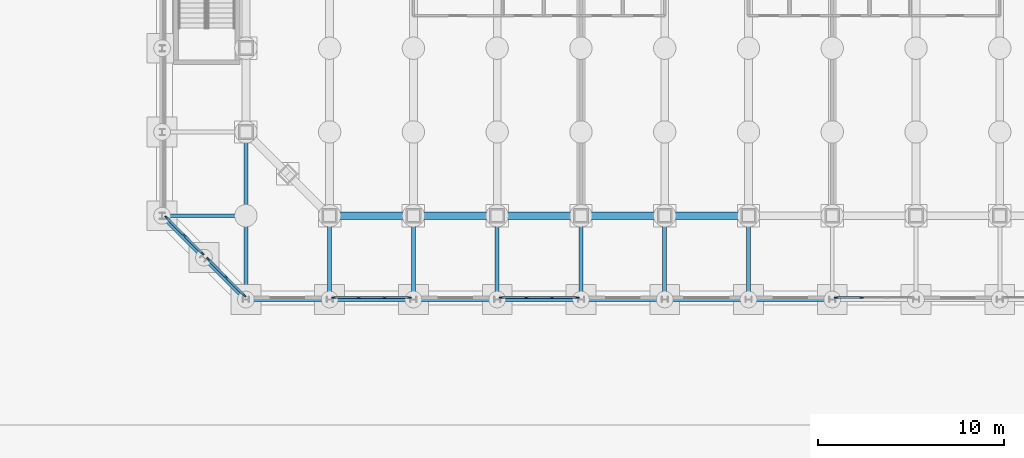
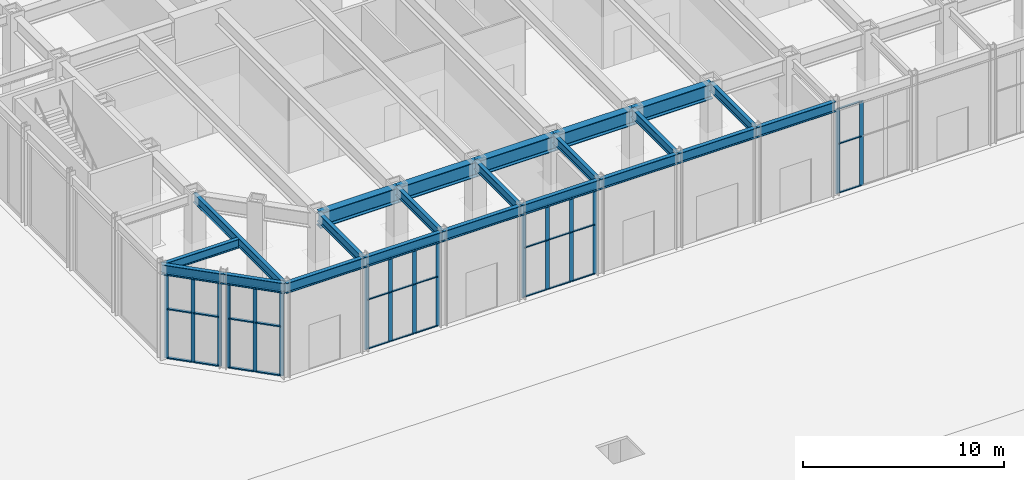
# One storey, part 5 of 39: 49 members, 22 beams, 5 elements without a shape of their own.
"""IFC4 building model written with IfcOpenShell, lengths in metres."""

import ifcopenshell
import ifcopenshell.guid

model = None  # the IFC model being written
_history = None  # IfcOwnerHistory: only IFC2X3 demands one
_inside = {}  # id of a spatial element -> (the spatial element, [elements in it])
_under = {}  # id of a project, library or spatial element -> (it, [spatial elements below it])
_declared = {}  # id of a project -> (the project, [libraries it declares])
_typed = {}  # id of a type object -> (the type object, [elements of that type])
_made_of = {}  # id of a material, layer set ... -> (it, [elements and type objects made of it])


def new_model(schema):
    """Start an empty IFC model of exactly this schema.

    Asked for "IFC4X3", IfcOpenShell would pick the latest addendum, in which some entities
    have other attributes; the version numbers below select the first issue.
    IFC2X3 requires an IfcOwnerHistory on every rooted entity: one is made here for all.
    """
    global model, _history
    if schema == "IFC4X3":
        model = ifcopenshell.file(schema_version=(4, 3, 0, 0))
    else:
        model = ifcopenshell.file(schema=schema)
    _inside.clear()
    _under.clear()
    _declared.clear()
    _typed.clear()
    _made_of.clear()
    _history = None
    if model.schema == "IFC2X3":
        org = make("IfcOrganization", Name="unknown")
        user = make(
            "IfcPersonAndOrganization",
            ThePerson=make("IfcPerson", FamilyName="unknown"),
            TheOrganization=org,
        )
        app = make(
            "IfcApplication",
            ApplicationDeveloper=org,
            Version="unknown",
            ApplicationFullName="unknown",
            ApplicationIdentifier="unknown",
        )
        _history = make(
            "IfcOwnerHistory",
            OwningUser=user,
            OwningApplication=app,
            ChangeAction="ADDED",
            CreationDate=0,
        )
    return model


def make(cls, **values):
    """One entity of the class cls with the attributes given. An attribute that is None is left unset."""
    return model.create_entity(
        cls, **{name: value for name, value in values.items() if value is not None}
    )


def rooted(cls, **values):
    """An entity with a GlobalId (a new one), such as an element, a storey or a relation."""
    return make(cls, GlobalId=ifcopenshell.guid.new(), OwnerHistory=_history, **values)


def si_unit(unit_type, name, prefix=None):
    """IfcSIUnit, for example si_unit("LENGTHUNIT", "METRE", prefix="MILLI")."""
    return make("IfcSIUnit", UnitType=unit_type, Prefix=prefix, Name=name)


def assignment(units):
    """IfcUnitAssignment: the units of a project."""
    return None if units is None else make("IfcUnitAssignment", Units=units)


def point(xyz):
    """IfcCartesianPoint."""
    return None if xyz is None else make("IfcCartesianPoint", Coordinates=xyz)


def direction(xyz):
    """IfcDirection."""
    return None if xyz is None else make("IfcDirection", DirectionRatios=xyz)


def frame(location, z_axis=None, x_axis=None):
    """IfcAxis2Placement3D, a coordinate frame: its origin and axes. An axis left out is left unset."""
    return make(
        "IfcAxis2Placement3D",
        Location=point(location),
        Axis=direction(z_axis),
        RefDirection=direction(x_axis),
    )


def frame_2d(location, x_axis=None):
    """IfcAxis2Placement2D, a coordinate frame in the plane: its origin and x axis."""
    return make(
        "IfcAxis2Placement2D", Location=point(location), RefDirection=direction(x_axis)
    )


def origin():
    """The frame at (0, 0, 0) with its axes left unset."""
    return frame((0.0, 0.0, 0.0))


def origin_2d():
    """The frame at (0, 0) in the plane with its x axis left unset."""
    return frame_2d((0.0, 0.0))


def place(relative_to, where):
    """IfcLocalPlacement: puts the frame where relative to a parent placement (None: the world)."""
    return make(
        "IfcLocalPlacement", PlacementRelTo=relative_to, RelativePlacement=where
    )


def context(
    kind, dimensions, precision=None, world=None, true_north=None, identifier=None
):
    """IfcGeometricRepresentationContext, for example the 3D "Model" context."""
    return make(
        "IfcGeometricRepresentationContext",
        ContextIdentifier=identifier,
        ContextType=kind,
        CoordinateSpaceDimension=dimensions,
        Precision=precision,
        WorldCoordinateSystem=world,
        TrueNorth=true_north,
    )


def subcontext(parent, identifier, kind, view, scale=None):
    """IfcGeometricRepresentationSubContext, for example "Body" below "Model"."""
    return make(
        "IfcGeometricRepresentationSubContext",
        ContextIdentifier=identifier,
        ContextType=kind,
        ParentContext=parent,
        TargetScale=scale,
        TargetView=view,
    )


def project(units=None, contexts=None):
    """IfcProject with its units and contexts."""
    return rooted(
        "IfcProject",
        Name="project",
        RepresentationContexts=contexts,
        UnitsInContext=assignment(units),
    )


def spatial(cls, under=None, at=None, **own):
    """A site, building, storey or space (cls), placed at a placement, below another one or the project."""
    s = rooted(cls, ObjectPlacement=at, **own)
    if under is not None:
        _under.setdefault(under.id(), (under, []))[1].append(s)
    return s


def profile(cls, at=None, kind="AREA", **sizes):
    """A parametric profile (cls). Its sizes go by their IFC names, for example OverallWidth=200.0."""
    return make(cls, ProfileType=kind, Position=at, **sizes)


def rectangle(**sizes):
    """IfcRectangleProfileDef."""
    return profile("IfcRectangleProfileDef", **sizes)


def i_section(**sizes):
    """IfcIShapeProfileDef."""
    return profile("IfcIShapeProfileDef", **sizes)


def extrude(swept, where, along, depth):
    """IfcExtrudedAreaSolid: the profile swept, set in the frame where, extruded along a direction by depth."""
    return make(
        "IfcExtrudedAreaSolid",
        SweptArea=swept,
        Position=where,
        ExtrudedDirection=direction(along),
        Depth=depth,
    )


def shape(context_of_items, identifier, shape_type, items):
    """IfcShapeRepresentation: the items that make up one representation, for example the "Body"."""
    return make(
        "IfcShapeRepresentation",
        ContextOfItems=context_of_items,
        RepresentationIdentifier=identifier,
        RepresentationType=shape_type,
        Items=items,
    )


def material(Name=None, Category=None):
    """IfcMaterial."""
    return make("IfcMaterial", Name=Name, Category=Category)


def material_profile(
    of_material, cross_section, Name=None, Category=None, Priority=None
):
    """IfcMaterialProfile: a cross section and its material."""
    return make(
        "IfcMaterialProfile",
        Name=Name,
        Material=of_material,
        Profile=cross_section,
        Priority=Priority,
        Category=Category,
    )


def profile_set(profiles, Name=None, composite=None):
    """IfcMaterialProfileSet."""
    return make(
        "IfcMaterialProfileSet",
        Name=Name,
        MaterialProfiles=profiles,
        CompositeProfile=composite,
    )


def made_of(thing, what):
    """Note that an element or type object is made of a material, layer set ...; save() writes the relation."""
    if what is not None:
        _made_of.setdefault(what.id(), (what, []))[1].append(thing)
    return thing


def type_object(cls, material=None, **own):
    """A type object (cls), such as IfcWallType, which elements share."""
    return made_of(rooted(cls, **own), material)


def element(
    cls,
    number,
    at=None,
    inside=None,
    cuts=None,
    type_object=None,
    material=None,
    context=None,
    identifier="Body",
    shape_type=None,
    held_by="IfcProductDefinitionShape",
    body=None,
    shapes=None,
    **own,
):
    """One element of the class cls, such as IfcWall. Its Tag is "e" and its number.

    at: its placement. inside: the storey or other place that contains it. cuts: it is an
    opening in that element (IfcRelVoidsElement). A single representation is given by context,
    identifier, shape_type and body (its items); several are given by shapes. held_by: the class
    of the entity that holds the representations. save() writes the other relations.
    """
    e = rooted(cls, Tag="e%d" % number, ObjectPlacement=at, **own)
    if body is not None:
        shapes = [shape(context, identifier, shape_type, body)]
    if shapes is not None:
        e.Representation = make(held_by, Representations=shapes)
    if inside is not None:
        _inside.setdefault(inside.id(), (inside, []))[1].append(e)
    if cuts is not None:
        rooted(
            "IfcRelVoidsElement", RelatingBuildingElement=cuts, RelatedOpeningElement=e
        )
    if type_object is not None:
        _typed.setdefault(type_object.id(), (type_object, []))[1].append(e)
    return made_of(e, material)


def aggregate(whole, parts):
    """IfcRelAggregates: a whole, such as a stair, and the parts it consists of."""
    return rooted("IfcRelAggregates", RelatingObject=whole, RelatedObjects=parts)


def save(model, path):
    """Write the relations noted so far, then the file.

    IfcRelAggregates (storeys below a building ...), IfcRelContainedInSpatialStructure (elements
    in a storey), IfcRelDefinesByType, IfcRelAssociatesMaterial and IfcRelDeclares: one each for
    every whole, place, type object, material and project.
    """
    for whole, parts in _under.values():
        aggregate(whole, parts)
    for where, things in _inside.values():
        rooted(
            "IfcRelContainedInSpatialStructure",
            RelatedElements=things,
            RelatingStructure=where,
        )
    for kind, things in _typed.values():
        rooted("IfcRelDefinesByType", RelatedObjects=things, RelatingType=kind)
    for what, things in _made_of.values():
        rooted("IfcRelAssociatesMaterial", RelatedObjects=things, RelatingMaterial=what)
    for by, libraries in _declared.values():
        rooted("IfcRelDeclares", RelatingContext=by, RelatedDefinitions=libraries)
    model.write(path)


model = new_model("IFC4")

# Units and contexts
model_context = context("Model", 3, precision=1e-05, world=origin(), true_north=direction((0.0, 1.0)))
body_context = subcontext(model_context, "Body", "Model", "MODEL_VIEW")
ifc_project = project(units=[si_unit("LENGTHUNIT", "METRE"), si_unit("AREAUNIT", "SQUARE_METRE"), si_unit("VOLUMEUNIT", "CUBIC_METRE"), si_unit("PLANEANGLEUNIT", "RADIAN"), si_unit("MASSUNIT", "GRAM", prefix="KILO")], contexts=[model_context])

# Site, building, storey
site_placement = place(None, origin())
site = spatial("IfcSite", under=ifc_project, at=site_placement, CompositionType="ELEMENT")
building_placement = place(site_placement, origin())
building = spatial("IfcBuilding", under=site, at=building_placement, Name="Msasa Ring Tower", CompositionType="ELEMENT")
storey_placement = place(building_placement, origin())
storey = spatial("IfcBuildingStorey", under=building, at=storey_placement, Name="L00", CompositionType="ELEMENT", Elevation=0.0)

# Curtain wall, members
ifc_material_1 = material(Name="Aluminium curtain wall with clear glass", Category="aluminium")
curtain_wall_type_1 = type_object("IfcCurtainWallType", Name="CW-F PLAZA SHOPFRONT CURTAIN WALL", PredefinedType="NOTDEFINED", material=ifc_material_1)
curtain_wall_1_placement = place(storey_placement, origin())
curtain_wall_1 = element("IfcCurtainWall", 1, at=curtain_wall_1_placement, inside=storey, type_object=curtain_wall_type_1, Name="Plaza shopfront curtain wall S L00 01", PredefinedType="NOTDEFINED")
ifc_material_2 = material(Name="Aluminium mullion", Category="aluminium")
ifc_material_profile_1 = material_profile(ifc_material_2, rectangle(XDim=0.054931640625, YDim=0.22509765625, at=origin_2d()), Name="AL 55x225")
ifc_profile_set_1 = profile_set([ifc_material_profile_1], Name="Aluminium mullion")
member_type_1 = type_object("IfcMemberType", Name="CW-F MULLION 55x225", PredefinedType="MULLION", material=ifc_profile_set_1)
member_1_placement = place(storey_placement, frame((-20.034912109375, -29.14990234375, 0.0), z_axis=(0.0, 0.0, 1.0), x_axis=(0.0, 1.0, 0.0)))
member_1 = element("IfcMember", 2, at=member_1_placement, type_object=member_type_1, Name="CW-F mullion 1", PredefinedType="MULLION", context=body_context, shape_type="SweptSolid", body=[
    extrude(rectangle(XDim=0.054931640625, YDim=0.22509765625, at=origin_2d()), origin(), (0.0, 0.0, 1.0), 5.1328125),
])
member_2_placement = place(storey_placement, frame((-18.6875, -29.14990234375, 0.0), z_axis=(0.0, 0.0, 1.0), x_axis=(0.0, 1.0, 0.0)))
member_2 = element("IfcMember", 3, at=member_2_placement, type_object=member_type_1, Name="CW-F mullion 2", PredefinedType="MULLION", context=body_context, shape_type="SweptSolid", body=[
    extrude(rectangle(XDim=0.054931640625, YDim=0.22509765625, at=origin_2d()), origin(), (0.0, 0.0, 1.0), 5.1328125),
])
member_3_placement = place(storey_placement, frame((-17.3125, -29.14990234375, 0.0), z_axis=(0.0, 0.0, 1.0), x_axis=(0.0, 1.0, 0.0)))
member_3 = element("IfcMember", 4, at=member_3_placement, type_object=member_type_1, Name="CW-F mullion 3", PredefinedType="MULLION", context=body_context, shape_type="SweptSolid", body=[
    extrude(rectangle(XDim=0.054931640625, YDim=0.22509765625, at=origin_2d()), origin(), (0.0, 0.0, 1.0), 5.1328125),
])
member_4_placement = place(storey_placement, frame((-15.965087890625, -29.14990234375, 0.0), z_axis=(0.0, 0.0, 1.0), x_axis=(0.0, 1.0, 0.0)))
member_4 = element("IfcMember", 5, at=member_4_placement, type_object=member_type_1, Name="CW-F mullion 4", PredefinedType="MULLION", context=body_context, shape_type="SweptSolid", body=[
    extrude(rectangle(XDim=0.054931640625, YDim=0.22509765625, at=origin_2d()), origin(), (0.0, 0.0, 1.0), 5.1328125),
])

curtain_wall_2_placement = place(storey_placement, origin())
curtain_wall_2 = element("IfcCurtainWall", 6, at=curtain_wall_2_placement, inside=storey, type_object=curtain_wall_type_1, Name="Plaza shopfront curtain wall S L00 03", PredefinedType="NOTDEFINED")
member_5_placement = place(storey_placement, frame((-11.034912109375, -29.14990234375, 0.0), z_axis=(0.0, 0.0, 1.0), x_axis=(0.0, 1.0, 0.0)))
member_5 = element("IfcMember", 7, at=member_5_placement, type_object=member_type_1, Name="CW-F mullion 1", PredefinedType="MULLION", context=body_context, shape_type="SweptSolid", body=[
    extrude(rectangle(XDim=0.054931640625, YDim=0.22509765625, at=origin_2d()), origin(), (0.0, 0.0, 1.0), 5.1328125),
])
member_6_placement = place(storey_placement, frame((-9.6875, -29.14990234375, 0.0), z_axis=(0.0, 0.0, 1.0), x_axis=(0.0, 1.0, 0.0)))
member_6 = element("IfcMember", 8, at=member_6_placement, type_object=member_type_1, Name="CW-F mullion 2", PredefinedType="MULLION", context=body_context, shape_type="SweptSolid", body=[
    extrude(rectangle(XDim=0.054931640625, YDim=0.22509765625, at=origin_2d()), origin(), (0.0, 0.0, 1.0), 5.1328125),
])
member_7_placement = place(storey_placement, frame((-8.3125, -29.14990234375, 0.0), z_axis=(0.0, 0.0, 1.0), x_axis=(0.0, 1.0, 0.0)))
member_7 = element("IfcMember", 9, at=member_7_placement, type_object=member_type_1, Name="CW-F mullion 3", PredefinedType="MULLION", context=body_context, shape_type="SweptSolid", body=[
    extrude(rectangle(XDim=0.054931640625, YDim=0.22509765625, at=origin_2d()), origin(), (0.0, 0.0, 1.0), 5.1328125),
])
member_8_placement = place(storey_placement, frame((-6.965087890625, -29.14990234375, 0.0), z_axis=(0.0, 0.0, 1.0), x_axis=(0.0, 1.0, 0.0)))
member_8 = element("IfcMember", 10, at=member_8_placement, type_object=member_type_1, Name="CW-F mullion 4", PredefinedType="MULLION", context=body_context, shape_type="SweptSolid", body=[
    extrude(rectangle(XDim=0.054931640625, YDim=0.22509765625, at=origin_2d()), origin(), (0.0, 0.0, 1.0), 5.1328125),
])

curtain_wall_3_placement = place(storey_placement, origin())
curtain_wall_3 = element("IfcCurtainWall", 11, at=curtain_wall_3_placement, inside=storey, type_object=curtain_wall_type_1, Name="Plaza shopfront curtain wall S L00 07", PredefinedType="NOTDEFINED")
member_9_placement = place(storey_placement, frame((6.965087890625, -29.14990234375, 0.0), z_axis=(0.0, 0.0, 1.0), x_axis=(0.0, 1.0, 0.0)))
member_9 = element("IfcMember", 12, at=member_9_placement, type_object=member_type_1, Name="CW-F mullion 1", PredefinedType="MULLION", context=body_context, shape_type="SweptSolid", body=[
    extrude(rectangle(XDim=0.054931640625, YDim=0.22509765625, at=origin_2d()), origin(), (0.0, 0.0, 1.0), 5.1328125),
])
member_10_placement = place(storey_placement, frame((8.3125, -29.14990234375, 0.0), z_axis=(0.0, 0.0, 1.0), x_axis=(0.0, 1.0, 0.0)))
member_10 = element("IfcMember", 13, at=member_10_placement, type_object=member_type_1, Name="CW-F mullion 2", PredefinedType="MULLION", context=body_context, shape_type="SweptSolid", body=[
    extrude(rectangle(XDim=0.054931640625, YDim=0.22509765625, at=origin_2d()), origin(), (0.0, 0.0, 1.0), 5.1328125),
])

# Member
ifc_material_3 = material(Name="Aluminium transom", Category="aluminium")
ifc_material_profile_2 = material_profile(ifc_material_3, rectangle(XDim=0.110107421875, YDim=0.054931640625, at=origin_2d()), Name="AL 55x110")
ifc_profile_set_2 = profile_set([ifc_material_profile_2], Name="Aluminium transom")
member_type_2 = type_object("IfcMemberType", Name="CW-F TRANSOM 55x110", PredefinedType="USERDEFINED", material=ifc_profile_set_2)
member_11_placement = place(storey_placement, frame((-20.00732421875, -29.14990234375, 0.027587890625), z_axis=(1.0, 0.0, 0.0), x_axis=(0.0, 1.0, 0.0)))
member_11 = element("IfcMember", 14, at=member_11_placement, type_object=member_type_2, Name="CW-F transom 1.1", ObjectType="TRANSOM", PredefinedType="USERDEFINED", context=body_context, shape_type="SweptSolid", body=[
    extrude(rectangle(XDim=0.110107421875, YDim=0.054931640625, at=origin_2d()), origin(), (0.0, 0.0, 1.0), 1.29248046875),
])

member_12_placement = place(storey_placement, frame((-20.00732421875, -29.14990234375, 3.0), z_axis=(1.0, 0.0, 0.0), x_axis=(0.0, 1.0, 0.0)))
member_12 = element("IfcMember", 15, at=member_12_placement, type_object=member_type_2, Name="CW-F transom 1.2", ObjectType="TRANSOM", PredefinedType="USERDEFINED", context=body_context, shape_type="SweptSolid", body=[
    extrude(rectangle(XDim=0.110107421875, YDim=0.054931640625, at=origin_2d()), origin(), (0.0, 0.0, 1.0), 1.29248046875),
])

member_13_placement = place(storey_placement, frame((-20.00732421875, -29.14990234375, 5.105224609375), z_axis=(1.0, 0.0, 0.0), x_axis=(0.0, 1.0, 0.0)))
member_13 = element("IfcMember", 16, at=member_13_placement, type_object=member_type_2, Name="CW-F transom 1.3", ObjectType="TRANSOM", PredefinedType="USERDEFINED", context=body_context, shape_type="SweptSolid", body=[
    extrude(rectangle(XDim=0.110107421875, YDim=0.054931640625, at=origin_2d()), origin(), (0.0, 0.0, 1.0), 1.29248046875),
])

member_14_placement = place(storey_placement, frame((-18.659912109375, -29.14990234375, 0.027587890625), z_axis=(1.0, 0.0, 0.0), x_axis=(0.0, 1.0, 0.0)))
member_14 = element("IfcMember", 17, at=member_14_placement, type_object=member_type_2, Name="CW-F transom 2.1", ObjectType="TRANSOM", PredefinedType="USERDEFINED", context=body_context, shape_type="SweptSolid", body=[
    extrude(rectangle(XDim=0.110107421875, YDim=0.054931640625, at=origin_2d()), origin(), (0.0, 0.0, 1.0), 1.31982421875),
])

member_15_placement = place(storey_placement, frame((-18.659912109375, -29.14990234375, 3.0), z_axis=(1.0, 0.0, 0.0), x_axis=(0.0, 1.0, 0.0)))
member_15 = element("IfcMember", 18, at=member_15_placement, type_object=member_type_2, Name="CW-F transom 2.2", ObjectType="TRANSOM", PredefinedType="USERDEFINED", context=body_context, shape_type="SweptSolid", body=[
    extrude(rectangle(XDim=0.110107421875, YDim=0.054931640625, at=origin_2d()), origin(), (0.0, 0.0, 1.0), 1.31982421875),
])

member_16_placement = place(storey_placement, frame((-18.659912109375, -29.14990234375, 5.105224609375), z_axis=(1.0, 0.0, 0.0), x_axis=(0.0, 1.0, 0.0)))
member_16 = element("IfcMember", 19, at=member_16_placement, type_object=member_type_2, Name="CW-F transom 2.3", ObjectType="TRANSOM", PredefinedType="USERDEFINED", context=body_context, shape_type="SweptSolid", body=[
    extrude(rectangle(XDim=0.110107421875, YDim=0.054931640625, at=origin_2d()), origin(), (0.0, 0.0, 1.0), 1.31982421875),
])

member_17_placement = place(storey_placement, frame((-17.284912109375, -29.14990234375, 0.027587890625), z_axis=(1.0, 0.0, 0.0), x_axis=(0.0, 1.0, 0.0)))
member_17 = element("IfcMember", 20, at=member_17_placement, type_object=member_type_2, Name="CW-F transom 3.1", ObjectType="TRANSOM", PredefinedType="USERDEFINED", context=body_context, shape_type="SweptSolid", body=[
    extrude(rectangle(XDim=0.110107421875, YDim=0.054931640625, at=origin_2d()), origin(), (0.0, 0.0, 1.0), 1.292236328125),
])

member_18_placement = place(storey_placement, frame((-17.284912109375, -29.14990234375, 3.0), z_axis=(1.0, 0.0, 0.0), x_axis=(0.0, 1.0, 0.0)))
member_18 = element("IfcMember", 21, at=member_18_placement, type_object=member_type_2, Name="CW-F transom 3.2", ObjectType="TRANSOM", PredefinedType="USERDEFINED", context=body_context, shape_type="SweptSolid", body=[
    extrude(rectangle(XDim=0.110107421875, YDim=0.054931640625, at=origin_2d()), origin(), (0.0, 0.0, 1.0), 1.292236328125),
])

member_19_placement = place(storey_placement, frame((-17.284912109375, -29.14990234375, 5.105224609375), z_axis=(1.0, 0.0, 0.0), x_axis=(0.0, 1.0, 0.0)))
member_19 = element("IfcMember", 22, at=member_19_placement, type_object=member_type_2, Name="CW-F transom 3.3", ObjectType="TRANSOM", PredefinedType="USERDEFINED", context=body_context, shape_type="SweptSolid", body=[
    extrude(rectangle(XDim=0.110107421875, YDim=0.054931640625, at=origin_2d()), origin(), (0.0, 0.0, 1.0), 1.292236328125),
])

aggregate(curtain_wall_1, [member_1, member_2, member_3, member_4, member_11, member_12, member_13, member_14, member_15, member_16, member_17, member_18, member_19])

member_20_placement = place(storey_placement, frame((-11.00732421875, -29.14990234375, 0.027587890625), z_axis=(1.0, 0.0, 0.0), x_axis=(0.0, 1.0, 0.0)))
member_20 = element("IfcMember", 23, at=member_20_placement, type_object=member_type_2, Name="CW-F transom 1.1", ObjectType="TRANSOM", PredefinedType="USERDEFINED", context=body_context, shape_type="SweptSolid", body=[
    extrude(rectangle(XDim=0.110107421875, YDim=0.054931640625, at=origin_2d()), origin(), (0.0, 0.0, 1.0), 1.292236328125),
])

member_21_placement = place(storey_placement, frame((-11.00732421875, -29.14990234375, 3.0), z_axis=(1.0, 0.0, 0.0), x_axis=(0.0, 1.0, 0.0)))
member_21 = element("IfcMember", 24, at=member_21_placement, type_object=member_type_2, Name="CW-F transom 1.2", ObjectType="TRANSOM", PredefinedType="USERDEFINED", context=body_context, shape_type="SweptSolid", body=[
    extrude(rectangle(XDim=0.110107421875, YDim=0.054931640625, at=origin_2d()), origin(), (0.0, 0.0, 1.0), 1.292236328125),
])

member_22_placement = place(storey_placement, frame((-11.00732421875, -29.14990234375, 5.105224609375), z_axis=(1.0, 0.0, 0.0), x_axis=(0.0, 1.0, 0.0)))
member_22 = element("IfcMember", 25, at=member_22_placement, type_object=member_type_2, Name="CW-F transom 1.3", ObjectType="TRANSOM", PredefinedType="USERDEFINED", context=body_context, shape_type="SweptSolid", body=[
    extrude(rectangle(XDim=0.110107421875, YDim=0.054931640625, at=origin_2d()), origin(), (0.0, 0.0, 1.0), 1.292236328125),
])

member_23_placement = place(storey_placement, frame((-9.659912109375, -29.14990234375, 0.027587890625), z_axis=(1.0, 0.0, 0.0), x_axis=(0.0, 1.0, 0.0)))
member_23 = element("IfcMember", 26, at=member_23_placement, type_object=member_type_2, Name="CW-F transom 2.1", ObjectType="TRANSOM", PredefinedType="USERDEFINED", context=body_context, shape_type="SweptSolid", body=[
    extrude(rectangle(XDim=0.110107421875, YDim=0.054931640625, at=origin_2d()), origin(), (0.0, 0.0, 1.0), 1.31982421875),
])

member_24_placement = place(storey_placement, frame((-9.659912109375, -29.14990234375, 3.0), z_axis=(1.0, 0.0, 0.0), x_axis=(0.0, 1.0, 0.0)))
member_24 = element("IfcMember", 27, at=member_24_placement, type_object=member_type_2, Name="CW-F transom 2.2", ObjectType="TRANSOM", PredefinedType="USERDEFINED", context=body_context, shape_type="SweptSolid", body=[
    extrude(rectangle(XDim=0.110107421875, YDim=0.054931640625, at=origin_2d()), origin(), (0.0, 0.0, 1.0), 1.31982421875),
])

member_25_placement = place(storey_placement, frame((-9.659912109375, -29.14990234375, 5.105224609375), z_axis=(1.0, 0.0, 0.0), x_axis=(0.0, 1.0, 0.0)))
member_25 = element("IfcMember", 28, at=member_25_placement, type_object=member_type_2, Name="CW-F transom 2.3", ObjectType="TRANSOM", PredefinedType="USERDEFINED", context=body_context, shape_type="SweptSolid", body=[
    extrude(rectangle(XDim=0.110107421875, YDim=0.054931640625, at=origin_2d()), origin(), (0.0, 0.0, 1.0), 1.31982421875),
])

member_26_placement = place(storey_placement, frame((-8.284912109375, -29.14990234375, 0.027587890625), z_axis=(1.0, 0.0, 0.0), x_axis=(0.0, 1.0, 0.0)))
member_26 = element("IfcMember", 29, at=member_26_placement, type_object=member_type_2, Name="CW-F transom 3.1", ObjectType="TRANSOM", PredefinedType="USERDEFINED", context=body_context, shape_type="SweptSolid", body=[
    extrude(rectangle(XDim=0.110107421875, YDim=0.054931640625, at=origin_2d()), origin(), (0.0, 0.0, 1.0), 1.292236328125),
])

member_27_placement = place(storey_placement, frame((-8.284912109375, -29.14990234375, 3.0), z_axis=(1.0, 0.0, 0.0), x_axis=(0.0, 1.0, 0.0)))
member_27 = element("IfcMember", 30, at=member_27_placement, type_object=member_type_2, Name="CW-F transom 3.2", ObjectType="TRANSOM", PredefinedType="USERDEFINED", context=body_context, shape_type="SweptSolid", body=[
    extrude(rectangle(XDim=0.110107421875, YDim=0.054931640625, at=origin_2d()), origin(), (0.0, 0.0, 1.0), 1.292236328125),
])

member_28_placement = place(storey_placement, frame((-8.284912109375, -29.14990234375, 5.105224609375), z_axis=(1.0, 0.0, 0.0), x_axis=(0.0, 1.0, 0.0)))
member_28 = element("IfcMember", 31, at=member_28_placement, type_object=member_type_2, Name="CW-F transom 3.3", ObjectType="TRANSOM", PredefinedType="USERDEFINED", context=body_context, shape_type="SweptSolid", body=[
    extrude(rectangle(XDim=0.110107421875, YDim=0.054931640625, at=origin_2d()), origin(), (0.0, 0.0, 1.0), 1.292236328125),
])

aggregate(curtain_wall_2, [member_5, member_6, member_7, member_8, member_20, member_21, member_22, member_23, member_24, member_25, member_26, member_27, member_28])

member_29_placement = place(storey_placement, frame((6.99267578125, -29.14990234375, 0.027587890625), z_axis=(1.0, 0.0, 0.0), x_axis=(0.0, 1.0, 0.0)))
member_29 = element("IfcMember", 32, at=member_29_placement, type_object=member_type_2, Name="CW-F transom 1.1", ObjectType="TRANSOM", PredefinedType="USERDEFINED", context=body_context, shape_type="SweptSolid", body=[
    extrude(rectangle(XDim=0.110107421875, YDim=0.054931640625, at=origin_2d()), origin(), (0.0, 0.0, 1.0), 1.292236328125),
])

member_30_placement = place(storey_placement, frame((6.99267578125, -29.14990234375, 3.0), z_axis=(1.0, 0.0, 0.0), x_axis=(0.0, 1.0, 0.0)))
member_30 = element("IfcMember", 33, at=member_30_placement, type_object=member_type_2, Name="CW-F transom 1.2", ObjectType="TRANSOM", PredefinedType="USERDEFINED", context=body_context, shape_type="SweptSolid", body=[
    extrude(rectangle(XDim=0.110107421875, YDim=0.054931640625, at=origin_2d()), origin(), (0.0, 0.0, 1.0), 1.292236328125),
])

member_31_placement = place(storey_placement, frame((6.99267578125, -29.14990234375, 5.105224609375), z_axis=(1.0, 0.0, 0.0), x_axis=(0.0, 1.0, 0.0)))
member_31 = element("IfcMember", 34, at=member_31_placement, type_object=member_type_2, Name="CW-F transom 1.3", ObjectType="TRANSOM", PredefinedType="USERDEFINED", context=body_context, shape_type="SweptSolid", body=[
    extrude(rectangle(XDim=0.110107421875, YDim=0.054931640625, at=origin_2d()), origin(), (0.0, 0.0, 1.0), 1.292236328125),
])

aggregate(curtain_wall_3, [member_9, member_10, member_29, member_30, member_31])

# Curtain wall, members
ifc_material_4 = material(Name="Aluminium curtain wall with clear glass", Category="aluminium")
curtain_wall_type_2 = type_object("IfcCurtainWallType", Name="CW-K PODIUM CORNER CURTAIN WALL", PredefinedType="NOTDEFINED", material=ifc_material_4)
curtain_wall_4_placement = place(storey_placement, origin())
curtain_wall_4 = element("IfcCurtainWall", 35, at=curtain_wall_4_placement, inside=storey, type_object=curtain_wall_type_2, Name="Podium corner curtain wall SW L00", PredefinedType="NOTDEFINED")
ifc_material_5 = material(Name="Aluminium mullion", Category="aluminium")
ifc_material_profile_3 = material_profile(ifc_material_5, rectangle(XDim=0.070068359375, YDim=0.199951171875, at=origin_2d()), Name="AL 70x200")
ifc_profile_set_3 = profile_set([ifc_material_profile_3], Name="Aluminium mullion")
member_type_3 = type_object("IfcMemberType", Name="CW-K MULLION 70x200", PredefinedType="MULLION", material=ifc_profile_set_3)
member_32_placement = place(storey_placement, frame((-29.02197265625, -24.836669921875, 0.0), z_axis=(0.0, 0.0, 1.0), x_axis=(0.707106781187, 0.707106781187, 0.0)))
member_32 = element("IfcMember", 36, at=member_32_placement, type_object=member_type_3, Name="CW-K mullion 1", PredefinedType="MULLION", context=body_context, shape_type="SweptSolid", body=[
    extrude(rectangle(XDim=0.070068359375, YDim=0.199951171875, at=origin_2d()), origin(), (0.0, 0.0, 1.0), 5.1328125),
])
member_33_placement = place(storey_placement, frame((-28.05419921875, -25.80419921875, 0.0), z_axis=(0.0, 0.0, 1.0), x_axis=(0.707106781187, 0.707106781187, 0.0)))
member_33 = element("IfcMember", 37, at=member_33_placement, type_object=member_type_3, Name="CW-K mullion 2", PredefinedType="MULLION", context=body_context, shape_type="SweptSolid", body=[
    extrude(rectangle(XDim=0.070068359375, YDim=0.199951171875, at=origin_2d()), origin(), (0.0, 0.0, 1.0), 5.1328125),
])
member_34_placement = place(storey_placement, frame((-27.086669921875, -26.77197265625, 0.0), z_axis=(0.0, 0.0, 1.0), x_axis=(0.707106781187, 0.707106781187, 0.0)))
member_34 = element("IfcMember", 38, at=member_34_placement, type_object=member_type_3, Name="CW-K mullion 3", PredefinedType="MULLION", context=body_context, shape_type="SweptSolid", body=[
    extrude(rectangle(XDim=0.070068359375, YDim=0.199951171875, at=origin_2d()), origin(), (0.0, 0.0, 1.0), 5.1328125),
])

curtain_wall_5_placement = place(storey_placement, origin())
curtain_wall_5 = element("IfcCurtainWall", 39, at=curtain_wall_5_placement, inside=storey, type_object=curtain_wall_type_2, Name="Podium corner curtain wall SW L00", PredefinedType="NOTDEFINED")
member_35_placement = place(storey_placement, frame((-26.77197265625, -27.086669921875, 0.0), z_axis=(0.0, 0.0, 1.0), x_axis=(0.707106781187, 0.707106781187, 0.0)))
member_35 = element("IfcMember", 40, at=member_35_placement, type_object=member_type_3, Name="CW-K mullion 1", PredefinedType="MULLION", context=body_context, shape_type="SweptSolid", body=[
    extrude(rectangle(XDim=0.070068359375, YDim=0.199951171875, at=origin_2d()), origin(), (0.0, 0.0, 1.0), 5.1328125),
])
member_36_placement = place(storey_placement, frame((-25.80419921875, -28.05419921875, 0.0), z_axis=(0.0, 0.0, 1.0), x_axis=(0.707106781187, 0.707106781187, 0.0)))
member_36 = element("IfcMember", 41, at=member_36_placement, type_object=member_type_3, Name="CW-K mullion 2", PredefinedType="MULLION", context=body_context, shape_type="SweptSolid", body=[
    extrude(rectangle(XDim=0.070068359375, YDim=0.199951171875, at=origin_2d()), origin(), (0.0, 0.0, 1.0), 5.1328125),
])
member_37_placement = place(storey_placement, frame((-24.836669921875, -29.02197265625, 0.0), z_axis=(0.0, 0.0, 1.0), x_axis=(0.707106781187, 0.707106781187, 0.0)))
member_37 = element("IfcMember", 42, at=member_37_placement, type_object=member_type_3, Name="CW-K mullion 3", PredefinedType="MULLION", context=body_context, shape_type="SweptSolid", body=[
    extrude(rectangle(XDim=0.070068359375, YDim=0.199951171875, at=origin_2d()), origin(), (0.0, 0.0, 1.0), 5.1328125),
])

# Member
ifc_material_6 = material(Name="Aluminium transom", Category="aluminium")
ifc_material_profile_4 = material_profile(ifc_material_6, rectangle(XDim=0.14990234375, YDim=0.070068359375, at=origin_2d()), Name="AL 70x150")
ifc_profile_set_4 = profile_set([ifc_material_profile_4], Name="Aluminium transom")
member_type_4 = type_object("IfcMemberType", Name="CW-K TRANSOM 70x150", PredefinedType="USERDEFINED", material=ifc_profile_set_4)
member_38_placement = place(storey_placement, frame((-28.9970703125, -24.861572265625, 0.034912109375), z_axis=(0.707106781187, -0.707106781187, 0.0), x_axis=(0.707106781187, 0.707106781187, 0.0)))
member_38 = element("IfcMember", 43, at=member_38_placement, type_object=member_type_4, Name="CW-K transom 1.1", ObjectType="TRANSOM", PredefinedType="USERDEFINED", context=body_context, shape_type="SweptSolid", body=[
    extrude(rectangle(XDim=0.14990234375, YDim=0.070068359375, at=origin_2d()), origin(), (0.0, 0.0, 1.0), 1.298095703125),
])

member_39_placement = place(storey_placement, frame((-28.9970703125, -24.861572265625, 3.0), z_axis=(0.707106781187, -0.707106781187, 0.0), x_axis=(0.707106781187, 0.707106781187, 0.0)))
member_39 = element("IfcMember", 44, at=member_39_placement, type_object=member_type_4, Name="CW-K transom 1.2", ObjectType="TRANSOM", PredefinedType="USERDEFINED", context=body_context, shape_type="SweptSolid", body=[
    extrude(rectangle(XDim=0.14990234375, YDim=0.070068359375, at=origin_2d()), origin(), (0.0, 0.0, 1.0), 1.298095703125),
])

member_40_placement = place(storey_placement, frame((-28.9970703125, -24.861572265625, 5.097900390625), z_axis=(0.707106781187, -0.707106781187, 0.0), x_axis=(0.707106781187, 0.707106781187, 0.0)))
member_40 = element("IfcMember", 45, at=member_40_placement, type_object=member_type_4, Name="CW-K transom 1.3", ObjectType="TRANSOM", PredefinedType="USERDEFINED", context=body_context, shape_type="SweptSolid", body=[
    extrude(rectangle(XDim=0.14990234375, YDim=0.070068359375, at=origin_2d()), origin(), (0.0, 0.0, 1.0), 1.298095703125),
])

member_41_placement = place(storey_placement, frame((-28.029541015625, -25.8291015625, 0.034912109375), z_axis=(0.707106781187, -0.707106781187, 0.0), x_axis=(0.707106781187, 0.707106781187, 0.0)))
member_41 = element("IfcMember", 46, at=member_41_placement, type_object=member_type_4, Name="CW-K transom 2.1", ObjectType="TRANSOM", PredefinedType="USERDEFINED", context=body_context, shape_type="SweptSolid", body=[
    extrude(rectangle(XDim=0.14990234375, YDim=0.070068359375, at=origin_2d()), origin(), (0.0, 0.0, 1.0), 1.298095703125),
])

member_42_placement = place(storey_placement, frame((-28.029541015625, -25.8291015625, 3.0), z_axis=(0.707106781187, -0.707106781187, 0.0), x_axis=(0.707106781187, 0.707106781187, 0.0)))
member_42 = element("IfcMember", 47, at=member_42_placement, type_object=member_type_4, Name="CW-K transom 2.2", ObjectType="TRANSOM", PredefinedType="USERDEFINED", context=body_context, shape_type="SweptSolid", body=[
    extrude(rectangle(XDim=0.14990234375, YDim=0.070068359375, at=origin_2d()), origin(), (0.0, 0.0, 1.0), 1.298095703125),
])

member_43_placement = place(storey_placement, frame((-28.029541015625, -25.8291015625, 5.097900390625), z_axis=(0.707106781187, -0.707106781187, 0.0), x_axis=(0.707106781187, 0.707106781187, 0.0)))
member_43 = element("IfcMember", 48, at=member_43_placement, type_object=member_type_4, Name="CW-K transom 2.3", ObjectType="TRANSOM", PredefinedType="USERDEFINED", context=body_context, shape_type="SweptSolid", body=[
    extrude(rectangle(XDim=0.14990234375, YDim=0.070068359375, at=origin_2d()), origin(), (0.0, 0.0, 1.0), 1.298095703125),
])

aggregate(curtain_wall_4, [member_32, member_33, member_34, member_38, member_39, member_40, member_41, member_42, member_43])

member_44_placement = place(storey_placement, frame((-26.7470703125, -27.111572265625, 0.034912109375), z_axis=(0.707106781187, -0.707106781187, 0.0), x_axis=(0.707106781187, 0.707106781187, 0.0)))
member_44 = element("IfcMember", 49, at=member_44_placement, type_object=member_type_4, Name="CW-K transom 1.1", ObjectType="TRANSOM", PredefinedType="USERDEFINED", context=body_context, shape_type="SweptSolid", body=[
    extrude(rectangle(XDim=0.14990234375, YDim=0.070068359375, at=origin_2d()), origin(), (0.0, 0.0, 1.0), 1.298095703125),
])

member_45_placement = place(storey_placement, frame((-26.7470703125, -27.111572265625, 3.0), z_axis=(0.707106781187, -0.707106781187, 0.0), x_axis=(0.707106781187, 0.707106781187, 0.0)))
member_45 = element("IfcMember", 50, at=member_45_placement, type_object=member_type_4, Name="CW-K transom 1.2", ObjectType="TRANSOM", PredefinedType="USERDEFINED", context=body_context, shape_type="SweptSolid", body=[
    extrude(rectangle(XDim=0.14990234375, YDim=0.070068359375, at=origin_2d()), origin(), (0.0, 0.0, 1.0), 1.298095703125),
])

member_46_placement = place(storey_placement, frame((-26.7470703125, -27.111572265625, 5.097900390625), z_axis=(0.707106781187, -0.707106781187, 0.0), x_axis=(0.707106781187, 0.707106781187, 0.0)))
member_46 = element("IfcMember", 51, at=member_46_placement, type_object=member_type_4, Name="CW-K transom 1.3", ObjectType="TRANSOM", PredefinedType="USERDEFINED", context=body_context, shape_type="SweptSolid", body=[
    extrude(rectangle(XDim=0.14990234375, YDim=0.070068359375, at=origin_2d()), origin(), (0.0, 0.0, 1.0), 1.298095703125),
])

member_47_placement = place(storey_placement, frame((-25.779541015625, -28.0791015625, 0.034912109375), z_axis=(0.707106781187, -0.707106781187, 0.0), x_axis=(0.707106781187, 0.707106781187, 0.0)))
member_47 = element("IfcMember", 52, at=member_47_placement, type_object=member_type_4, Name="CW-K transom 2.1", ObjectType="TRANSOM", PredefinedType="USERDEFINED", context=body_context, shape_type="SweptSolid", body=[
    extrude(rectangle(XDim=0.14990234375, YDim=0.070068359375, at=origin_2d()), origin(), (0.0, 0.0, 1.0), 1.298095703125),
])

member_48_placement = place(storey_placement, frame((-25.779541015625, -28.0791015625, 3.0), z_axis=(0.707106781187, -0.707106781187, 0.0), x_axis=(0.707106781187, 0.707106781187, 0.0)))
member_48 = element("IfcMember", 53, at=member_48_placement, type_object=member_type_4, Name="CW-K transom 2.2", ObjectType="TRANSOM", PredefinedType="USERDEFINED", context=body_context, shape_type="SweptSolid", body=[
    extrude(rectangle(XDim=0.14990234375, YDim=0.070068359375, at=origin_2d()), origin(), (0.0, 0.0, 1.0), 1.298095703125),
])

member_49_placement = place(storey_placement, frame((-25.779541015625, -28.0791015625, 5.097900390625), z_axis=(0.707106781187, -0.707106781187, 0.0), x_axis=(0.707106781187, 0.707106781187, 0.0)))
member_49 = element("IfcMember", 54, at=member_49_placement, type_object=member_type_4, Name="CW-K transom 2.3", ObjectType="TRANSOM", PredefinedType="USERDEFINED", context=body_context, shape_type="SweptSolid", body=[
    extrude(rectangle(XDim=0.14990234375, YDim=0.070068359375, at=origin_2d()), origin(), (0.0, 0.0, 1.0), 1.298095703125),
])

aggregate(curtain_wall_5, [member_35, member_36, member_37, member_44, member_45, member_46, member_47, member_48, member_49])

# Beams
ifc_material_7 = material(Name="Steel S355", Category="steel")
ifc_material_profile_5 = material_profile(ifc_material_7, i_section(OverallWidth=0.2119140625, OverallDepth=0.54443359375, WebThickness=0.0126953125, FlangeThickness=0.021240234375, FilletRadius=0.0126953125, at=origin_2d()), Name="UB 533x210x122")
ifc_profile_set_5 = profile_set([ifc_material_profile_5], Name="Steel S355")
beam_type_1 = type_object("IfcBeamType", Name="PB1 UB 533x210x122", PredefinedType="BEAM", material=ifc_profile_set_5)
beam_1_placement = place(storey_placement, frame((-24.75, -29.25, 5.477783203125), z_axis=(0.0, 1.0, 0.0), x_axis=(-1.0, 0.0, 0.0)))
element("IfcBeam", 55, at=beam_1_placement, inside=storey, type_object=beam_type_1, Name="Podium beam S-24.75 under L01", PredefinedType="BEAM", context=body_context, shape_type="SweptSolid", body=[
    extrude(i_section(OverallWidth=0.2119140625, OverallDepth=0.54443359375, WebThickness=0.0126953125, FlangeThickness=0.021240234375, FilletRadius=0.0126953125, at=origin_2d()), origin(), (0.0, 0.0, 1.0), 9.0),
])
beam_2_placement = place(storey_placement, frame((-29.25, -24.75, 5.477783203125), z_axis=(1.0, 0.0, 0.0), x_axis=(0.0, 1.0, 0.0)))
element("IfcBeam", 56, at=beam_2_placement, inside=storey, type_object=beam_type_1, Name="Podium beam W-24.75 under L01", PredefinedType="BEAM", context=body_context, shape_type="SweptSolid", body=[
    extrude(i_section(OverallWidth=0.2119140625, OverallDepth=0.54443359375, WebThickness=0.0126953125, FlangeThickness=0.021240234375, FilletRadius=0.0126953125, at=origin_2d()), origin(), (0.0, 0.0, 1.0), 4.39404296875),
])
for number, where, z_axis, x_axis, name in (
    (57, (-20.25, -29.25, 5.477783203125), (0.0, 1.0, 0.0), (-1.0, 0.0, 0.0), "Podium beam S-20.25 under L01"),
    (58, (-15.75, -29.25, 5.477783203125), (0.0, 1.0, 0.0), (-1.0, 0.0, 0.0), "Podium beam S-15.75 under L01"),
    (59, (-11.25, -29.25, 5.477783203125), (0.0, 1.0, 0.0), (-1.0, 0.0, 0.0), "Podium beam S-11.25 under L01"),
    (60, (-6.75, -29.25, 5.477783203125), (0.0, 1.0, 0.0), (-1.0, 0.0, 0.0), "Podium beam S-6.75 under L01"),
    (61, (-2.25, -29.25, 5.477783203125), (0.0, 1.0, 0.0), (-1.0, 0.0, 0.0), "Podium beam S-2.25 under L01"),
    (62, (2.25, -29.25, 5.477783203125), (0.0, 1.0, 0.0), (-1.0, 0.0, 0.0), "Podium beam S+2.25 under L01"),
):
    element("IfcBeam", number, at=place(storey_placement, frame(where, z_axis=z_axis, x_axis=x_axis)), inside=storey, type_object=beam_type_1, Name=name, PredefinedType="BEAM", context=body_context, shape_type="SweptSolid", body=[
        extrude(i_section(OverallWidth=0.2119140625, OverallDepth=0.54443359375, WebThickness=0.0126953125, FlangeThickness=0.021240234375, FilletRadius=0.0126953125, at=origin_2d()), origin(), (0.0, 0.0, 1.0), 4.5),
    ])
ifc_material_8 = material(Name="Steel S355", Category="steel")
ifc_material_profile_6 = material_profile(ifc_material_8, i_section(OverallWidth=0.42041015625, OverallDepth=0.9208984375, WebThickness=0.021484375, FlangeThickness=0.03662109375, FilletRadius=0.024169921875, at=origin_2d()), Name="UB 914x419x388")
ifc_profile_set_6 = profile_set([ifc_material_profile_6], Name="Steel S355")
beam_type_2 = type_object("IfcBeamType", Name="SB1 UB 914x419x388", PredefinedType="SPANDREL", material=ifc_profile_set_6)
for number, where, z_axis, x_axis, name in (
    (63, (-20.25, -24.75, 5.28955078125), (1.0, 0.0, 0.0), (0.0, 1.0, 0.0), "Spandrel S-20.25 to S-15.75 under L01"),
    (64, (-15.75, -24.75, 5.28955078125), (1.0, 0.0, 0.0), (0.0, 1.0, 0.0), "Spandrel S-15.75 to S-11.25 under L01"),
    (65, (-11.25, -24.75, 5.28955078125), (1.0, 0.0, 0.0), (0.0, 1.0, 0.0), "Spandrel S-11.25 to S-6.75 under L01"),
    (66, (-6.75, -24.75, 5.28955078125), (1.0, 0.0, 0.0), (0.0, 1.0, 0.0), "Spandrel S-6.75 to S-2.25 under L01"),
    (67, (-2.25, -24.75, 5.28955078125), (1.0, 0.0, 0.0), (0.0, 1.0, 0.0), "Spandrel S-2.25 to S+2.25 under L01"),
):
    element("IfcBeam", number, at=place(storey_placement, frame(where, z_axis=z_axis, x_axis=x_axis)), inside=storey, type_object=beam_type_2, Name=name, PredefinedType="SPANDREL", context=body_context, shape_type="SweptSolid", body=[
        extrude(i_section(OverallWidth=0.42041015625, OverallDepth=0.9208984375, WebThickness=0.021484375, FlangeThickness=0.03662109375, FilletRadius=0.024169921875, at=origin_2d()), origin(), (0.0, 0.0, 1.0), 4.5),
    ])
ifc_material_9 = material(Name="Steel S355", Category="steel")
ifc_material_profile_7 = material_profile(ifc_material_9, i_section(OverallWidth=0.230224609375, OverallDepth=0.6171875, WebThickness=0.01318359375, FlangeThickness=0.022216796875, FilletRadius=0.0126953125, at=origin_2d()), Name="UB 610x229x140")
ifc_profile_set_7 = profile_set([ifc_material_profile_7], Name="Steel S355")
beam_type_3 = type_object("IfcBeamType", Name="SB2 UB 610x229x140", PredefinedType="SPANDREL", material=ifc_profile_set_7)
for number, where, z_axis, x_axis, name in (
    (68, (-29.25, -24.75, 5.44140625), (0.707106781187, -0.707106781187, 0.0), (0.707106781187, 0.707106781187, 0.0), "Podium spandrel W-24.75 under L01"),
    (69, (-27.0, -27.0, 5.44140625), (0.707106781187, -0.707106781187, 0.0), (0.707106781187, 0.707106781187, 0.0), "Podium spandrel SW under L01"),
):
    element("IfcBeam", number, at=place(storey_placement, frame(where, z_axis=z_axis, x_axis=x_axis)), inside=storey, type_object=beam_type_3, Name=name, PredefinedType="SPANDREL", context=body_context, shape_type="SweptSolid", body=[
        extrude(i_section(OverallWidth=0.230224609375, OverallDepth=0.6171875, WebThickness=0.01318359375, FlangeThickness=0.022216796875, FilletRadius=0.0126953125, at=origin_2d()), origin(), (0.0, 0.0, 1.0), 3.181884765625),
    ])
for number, where, z_axis, x_axis, name in (
    (70, (-24.75, -29.25, 5.44140625), (1.0, 0.0, 0.0), (0.0, 1.0, 0.0), "Podium spandrel S-24.75 under L01"),
    (71, (-20.25, -29.25, 5.44140625), (1.0, 0.0, 0.0), (0.0, 1.0, 0.0), "Podium spandrel S-20.25 under L01"),
    (72, (-15.75, -29.25, 5.44140625), (1.0, 0.0, 0.0), (0.0, 1.0, 0.0), "Podium spandrel S-15.75 under L01"),
    (73, (-11.25, -29.25, 5.44140625), (1.0, 0.0, 0.0), (0.0, 1.0, 0.0), "Podium spandrel S-11.25 under L01"),
    (74, (-6.75, -29.25, 5.44140625), (1.0, 0.0, 0.0), (0.0, 1.0, 0.0), "Podium spandrel S-6.75 under L01"),
    (75, (-2.25, -29.25, 5.44140625), (1.0, 0.0, 0.0), (0.0, 1.0, 0.0), "Podium spandrel S-2.25 under L01"),
    (76, (2.25, -29.25, 5.44140625), (1.0, 0.0, 0.0), (0.0, 1.0, 0.0), "Podium spandrel S+2.25 under L01"),
):
    element("IfcBeam", number, at=place(storey_placement, frame(where, z_axis=z_axis, x_axis=x_axis)), inside=storey, type_object=beam_type_3, Name=name, PredefinedType="SPANDREL", context=body_context, shape_type="SweptSolid", body=[
        extrude(i_section(OverallWidth=0.230224609375, OverallDepth=0.6171875, WebThickness=0.01318359375, FlangeThickness=0.022216796875, FilletRadius=0.0126953125, at=origin_2d()), origin(), (0.0, 0.0, 1.0), 4.5),
    ])

save(model, "model.ifc")
